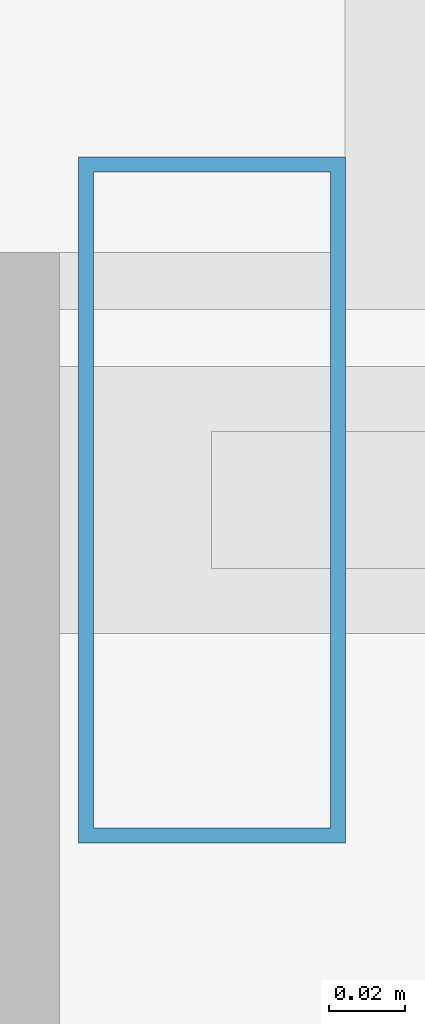
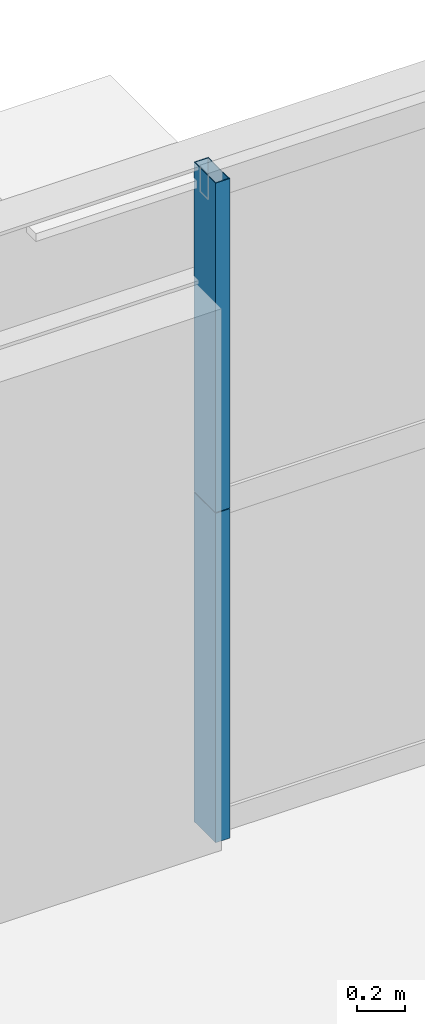
# One storey, part 28 of 46: 2 members, 1 element without a shape of its own.
"""IFC4 building model written with IfcOpenShell, lengths in metres."""

from ifc_helpers import new_model, si_unit, direction, frame, origin, origin_2d, place, context, subcontext, project, spatial, hollow_rectangle, extrude, source, transform, mapped, material, layer, layer_set, material_profile, profile_set, type_object, element, aggregate, save


model = new_model("IFC4")

# Units and contexts
model_context = context("Model", 3, precision=1e-05, world=origin(), true_north=direction((0.0, 1.0)))
body_context = subcontext(model_context, "Body", "Model", "MODEL_VIEW")
ifc_project = project(units=[si_unit("LENGTHUNIT", "METRE"), si_unit("AREAUNIT", "SQUARE_METRE"), si_unit("VOLUMEUNIT", "CUBIC_METRE"), si_unit("PLANEANGLEUNIT", "RADIAN"), si_unit("MASSUNIT", "GRAM", prefix="KILO"), si_unit("THERMODYNAMICTEMPERATUREUNIT", "KELVIN"), si_unit("POWERUNIT", "WATT")], contexts=[model_context])

# Site, building, storey
site_placement = place(None, origin())
site = spatial("IfcSite", under=ifc_project, at=site_placement, CompositionType="ELEMENT")
building_placement = place(site_placement, origin())
building = spatial("IfcBuilding", under=site, at=building_placement, Name="Yuzanri Waterfront Tower", CompositionType="ELEMENT")
storey_placement = place(building_placement, frame((0.0, 0.0, 56.800048828125)))
storey = spatial("IfcBuildingStorey", under=building, at=storey_placement, Name="L14", CompositionType="ELEMENT", Elevation=56.800048828125)

# Curtain wall, members
ifc_material_1 = material(Name="Anodized Architectural Bronze", Category="metal")
ifc_layer = layer(ifc_material_1, 0.159912109375)
ifc_layer_set = layer_set([ifc_layer], Name="Anodized Architectural Bronze")
curtain_wall_type = type_object("IfcCurtainWallType", Name="Anodized Bronze Hotel Lower-Tier Recessed Unitized Curtain Wall 8100", PredefinedType="NOTDEFINED", material=ifc_layer_set)
curtain_wall_placement = place(storey_placement, origin())
curtain_wall = element("IfcCurtainWall", 1, at=curtain_wall_placement, inside=storey, type_object=curtain_wall_type, Name="L14 Curtain Wall CW-L14-NL", PredefinedType="NOTDEFINED")
ifc_material_2 = material(Name="Anodized Architectural Bronze", Category="metal")
ifc_material_profile = material_profile(ifc_material_2, hollow_rectangle(XDim=0.070068359375, YDim=0.179931640625, WallThickness=0.00390625, at=origin_2d()), Name="CWM 70x180")
ifc_profile_set = profile_set([ifc_material_profile], Name="Anodized Architectural Bronze")
member_type = type_object("IfcMemberType", Name="Anodized Bronze Standard Curtain-Wall Mullion 70x180", PredefinedType="MULLION", material=ifc_profile_set)
shared_shape = source(origin(), body_context, "Body", "SweptSolid", [
    extrude(hollow_rectangle(XDim=0.070068359375, YDim=0.179931640625, WallThickness=0.00390625, at=origin_2d()), origin(), (0.0, 0.0, 1.0), 1.68798828125),
])
member_1_placement = place(storey_placement, frame((19.2900390625, 50.75, 0.0), z_axis=(0.0, 0.0, 1.0), x_axis=(1.0, 0.0, 0.0)))
member_1 = element("IfcMember", 2, at=member_1_placement, type_object=member_type, Name="CW-L14-NL Lower Mullion 00", PredefinedType="MULLION", context=body_context, shape_type="MappedRepresentation", body=[
    mapped(shared_shape, transform((0.0, 0.0, 0.0), scale=1.0)),
])
member_2_placement = place(storey_placement, frame((19.2900390625, 50.75, 1.69189453125), z_axis=(0.0, 0.0, 1.0), x_axis=(1.0, 0.0, 0.0)))
member_2 = element("IfcMember", 3, at=member_2_placement, type_object=member_type, Name="CW-L14-NL Upper Mullion 00", PredefinedType="MULLION", context=body_context, shape_type="MappedRepresentation", body=[
    mapped(shared_shape, transform((0.0, 0.0, 0.0), scale=1.0)),
])
aggregate(curtain_wall, [member_1, member_2])

save(model, "model.ifc")
